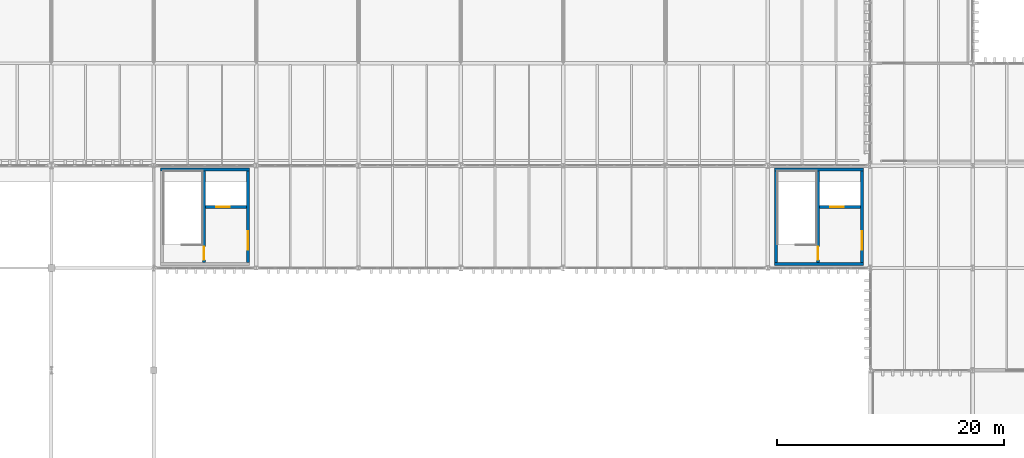
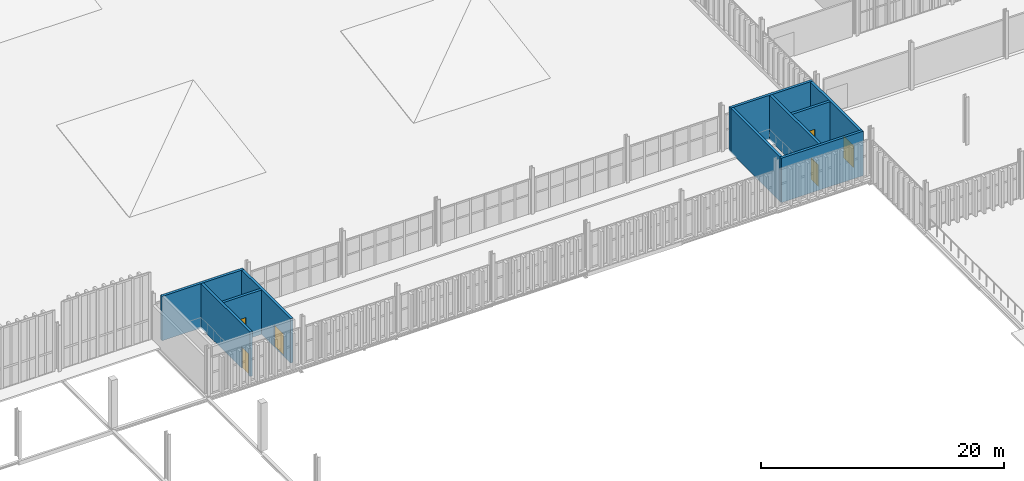
# One storey, part 178 of 196: 10 walls, 6 doors, 6 openings.
"""IFC4 building model written with IfcOpenShell, lengths in metres."""

from ifc_helpers import new_model, si_unit, direction, frame, frame_2d, origin, place, context, subcontext, project, spatial, rectangle, extrude, material, layer, layer_set, type_object, element, fill, save


model = new_model("IFC4")

# Units and contexts
model_context = context("Model", 3, precision=1e-05, world=origin(), true_north=direction((0.0, 1.0)))
body_context = subcontext(model_context, "Body", "Model", "MODEL_VIEW")
ifc_project = project(units=[si_unit("LENGTHUNIT", "METRE"), si_unit("AREAUNIT", "SQUARE_METRE"), si_unit("VOLUMEUNIT", "CUBIC_METRE"), si_unit("PLANEANGLEUNIT", "RADIAN"), si_unit("MASSUNIT", "GRAM", prefix="KILO")], contexts=[model_context])

# Site, building, storey
site_placement = place(None, origin())
site = spatial("IfcSite", under=ifc_project, at=site_placement, CompositionType="ELEMENT")
building_placement = place(site_placement, origin())
building = spatial("IfcBuilding", under=site, at=building_placement, Name="Barlavento Convention Centre", CompositionType="ELEMENT")
storey_placement = place(building_placement, frame((0.0, 0.0, 18.0)))
storey = spatial("IfcBuildingStorey", under=building, at=storey_placement, Name="L03", CompositionType="ELEMENT", Elevation=18.0)

# Wall, opening, door
ifc_material_1 = material(Name="Concrete C50/60", Category="concrete")
ifc_layer = layer(ifc_material_1, 0.25)
ifc_layer_set = layer_set([ifc_layer], Name="STR-WL-CORE-250")
wall_type = type_object("IfcWallType", Name="STR-WL-CORE-250", PredefinedType="SHEAR", material=ifc_layer_set)
wall_1_placement = place(storey_placement, frame((71.27490234375, 45.469970703125, 0.0), z_axis=(0.0, 0.0, 1.0), x_axis=(0.0, 1.0, 0.0)))
wall_1 = element("IfcWall", 1, at=wall_1_placement, inside=storey, type_object=wall_type, Name="L03 interior wall CW-02", PredefinedType="SHEAR", context=body_context, shape_type="SweptSolid", body=[
    extrude(rectangle(XDim=8.06005859375, YDim=0.25, at=frame_2d((4.030029296875, 0.0))), origin(), (0.0, 0.0, 1.0), 4.4599609375),
])
opening_1_placement = place(wall_1_placement, frame((1.14990234375, 0.0, 0.0)))
opening_1 = element("IfcOpeningElement", 2, at=opening_1_placement, cuts=wall_1, Name="Opening FD-02", PredefinedType="OPENING", context=body_context, shape_type="SweptSolid", body=[
    extrude(rectangle(XDim=1.60009765625, YDim=2.199951171875, at=frame_2d((0.800048828125, 1.10009765625))), frame((0.0, 0.135009765625, 0.0), z_axis=(0.0, -1.0, 0.0), x_axis=(1.0, 0.0, 0.0)), (0.0, 0.0, 1.0), 0.27001953125),
])
ifc_material_2 = material(Name="Painted galvanized steel", Category="steel")
door_type_1 = type_object("IfcDoorType", Name="ARC-DR-FIRE-1600X2200", OperationType="DOUBLE_DOOR_SINGLE_SWING", PredefinedType="DOOR", material=ifc_material_2)
door_1_placement = place(opening_1_placement, origin())
door_1 = element("IfcDoor", 3, at=door_1_placement, inside=storey, type_object=door_type_1, Name="DR-INT-L03-0039 L03 LP2 lobby fire door", OperationType="DOUBLE_DOOR_SINGLE_SWING", OverallHeight=2.199951171875, OverallWidth=1.60009765625, PredefinedType="DOOR", context=body_context, shape_type="SweptSolid", body=[
    extrude(rectangle(XDim=1.60009765625, YDim=2.199951171875, at=frame_2d((0.800048828125, 1.10009765625))), frame((0.0, 0.02490234375, 0.0), z_axis=(0.0, -1.0, 0.0), x_axis=(1.0, 0.0, 0.0)), (0.0, 0.0, 1.0), 0.050048828125),
])
fill(opening_1, door_1)

# Wall
wall_2_placement = place(storey_placement, frame((63.60009765625, 53.655029296875, 0.0), z_axis=(0.0, 0.0, 1.0), x_axis=(1.0, 0.0, 0.0)))
element("IfcWall", 4, at=wall_2_placement, inside=storey, type_object=wall_type, Name="L03 interior wall CW-02", PredefinedType="SHEAR", context=body_context, shape_type="SweptSolid", body=[
    extrude(rectangle(XDim=7.7998046875, YDim=0.25, at=frame_2d((3.89990234375, 0.0))), origin(), (0.0, 0.0, 1.0), 4.4599609375),
])

# Wall, opening, door
wall_3_placement = place(storey_placement, frame((67.4150390625, 45.469970703125, 0.0), z_axis=(0.0, 0.0, 1.0), x_axis=(0.0, 1.0, 0.0)))
wall_3 = element("IfcWall", 5, at=wall_3_placement, inside=storey, type_object=wall_type, Name="L03 interior wall CW-02", PredefinedType="SHEAR", context=body_context, shape_type="SweptSolid", body=[
    extrude(rectangle(XDim=8.06005859375, YDim=0.25, at=frame_2d((4.030029296875, 0.0))), origin(), (0.0, 0.0, 1.0), 4.4599609375),
])
opening_2_placement = place(wall_3_placement, frame((0.25, 0.0, 0.0)))
opening_2 = element("IfcOpeningElement", 6, at=opening_2_placement, cuts=wall_3, Name="Opening FD-03", PredefinedType="OPENING", context=body_context, shape_type="SweptSolid", body=[
    extrude(rectangle(XDim=1.14990234375, YDim=2.14990234375, at=frame_2d((0.574951171875, 1.074951171875))), frame((0.0, 0.135009765625, 0.0), z_axis=(0.0, -1.0, 0.0), x_axis=(1.0, 0.0, 0.0)), (0.0, 0.0, 1.0), 0.27001953125),
])
door_type_2 = type_object("IfcDoorType", Name="ARC-DR-FIRE-1150X2150", OperationType="NOTDEFINED", PredefinedType="DOOR", material=ifc_material_2)
door_2_placement = place(opening_2_placement, origin())
door_2 = element("IfcDoor", 7, at=door_2_placement, inside=storey, type_object=door_type_2, Name="DR-INT-L03-0037 L03 ST03 stair fire door FD-03", OperationType="SINGLE_SWING_LEFT", OverallHeight=2.14990234375, OverallWidth=1.14990234375, PredefinedType="DOOR", context=body_context, shape_type="SweptSolid", body=[
    extrude(rectangle(XDim=1.14990234375, YDim=2.14990234375, at=frame_2d((0.574951171875, 1.074951171875))), frame((0.0, 0.02490234375, 0.0), z_axis=(0.0, -1.0, 0.0), x_axis=(1.0, 0.0, 0.0)), (0.0, 0.0, 1.0), 0.050048828125),
])
fill(opening_2, door_2)

wall_4_placement = place(storey_placement, frame((67.5400390625, 50.3701171875, 0.0), z_axis=(0.0, 0.0, 1.0), x_axis=(1.0, 0.0, 0.0)))
wall_4 = element("IfcWall", 8, at=wall_4_placement, inside=storey, type_object=wall_type, Name="L03 interior wall CW-02", PredefinedType="SHEAR", context=body_context, shape_type="SweptSolid", body=[
    extrude(rectangle(XDim=3.60986328125, YDim=0.25, at=frame_2d((1.804931640625, 0.0))), origin(), (0.0, 0.0, 1.0), 4.4599609375),
])
opening_3_placement = place(wall_4_placement, frame((0.949951171875, 0.0, 0.0)))
opening_3 = element("IfcOpeningElement", 9, at=opening_3_placement, cuts=wall_4, Name="Opening LD-01", PredefinedType="OPENING", context=body_context, shape_type="SweptSolid", body=[
    extrude(rectangle(XDim=1.199951171875, YDim=2.199951171875, at=frame_2d((0.60009765625, 1.10009765625))), frame((0.0, 0.135009765625, 0.0), z_axis=(0.0, -1.0, 0.0), x_axis=(1.0, 0.0, 0.0)), (0.0, 0.0, 1.0), 0.27001953125),
])
ifc_material_3 = material(Name="Brushed stainless steel", Category="steel")
door_type_3 = type_object("IfcDoorType", Name="ARC-DR-LIFT-1200X2200", OperationType="DOUBLE_DOOR_SLIDING", PredefinedType="DOOR", material=ifc_material_3)
door_3_placement = place(opening_3_placement, origin())
door_3 = element("IfcDoor", 10, at=door_3_placement, inside=storey, type_object=door_type_3, Name="DR-INT-L03-0038 LP2 lift sliding landing door", OperationType="DOUBLE_DOOR_SLIDING", OverallHeight=2.199951171875, OverallWidth=1.199951171875, PredefinedType="DOOR", context=body_context, shape_type="SweptSolid", body=[
    extrude(rectangle(XDim=1.199951171875, YDim=2.199951171875, at=frame_2d((0.60009765625, 1.10009765625))), frame((0.0, 0.02490234375, 0.0), z_axis=(0.0, -1.0, 0.0), x_axis=(1.0, 0.0, 0.0)), (0.0, 0.0, 1.0), 0.050048828125),
])
fill(opening_3, door_3)

# Wall
wall_5_placement = place(storey_placement, frame((117.72509765625, 45.469970703125, 0.0), z_axis=(0.0, 0.0, 1.0), x_axis=(0.0, 1.0, 0.0)))
element("IfcWall", 11, at=wall_5_placement, inside=storey, type_object=wall_type, Name="L03 interior wall CW-02", PredefinedType="SHEAR", context=body_context, shape_type="SweptSolid", body=[
    extrude(rectangle(XDim=8.06005859375, YDim=0.25, at=frame_2d((4.030029296875, 0.0))), origin(), (0.0, 0.0, 1.0), 4.4599609375),
])

# Wall, opening, door
wall_6_placement = place(storey_placement, frame((125.27490234375, 45.469970703125, 0.0), z_axis=(0.0, 0.0, 1.0), x_axis=(0.0, 1.0, 0.0)))
wall_6 = element("IfcWall", 12, at=wall_6_placement, inside=storey, type_object=wall_type, Name="L03 interior wall CW-02", PredefinedType="SHEAR", context=body_context, shape_type="SweptSolid", body=[
    extrude(rectangle(XDim=8.06005859375, YDim=0.25, at=frame_2d((4.030029296875, 0.0))), origin(), (0.0, 0.0, 1.0), 4.4599609375),
])
opening_4_placement = place(wall_6_placement, frame((1.14990234375, 0.0, 0.0)))
opening_4 = element("IfcOpeningElement", 13, at=opening_4_placement, cuts=wall_6, Name="Opening FD-02", PredefinedType="OPENING", context=body_context, shape_type="SweptSolid", body=[
    extrude(rectangle(XDim=1.60009765625, YDim=2.199951171875, at=frame_2d((0.800048828125, 1.10009765625))), frame((0.0, 0.135009765625, 0.0), z_axis=(0.0, -1.0, 0.0), x_axis=(1.0, 0.0, 0.0)), (0.0, 0.0, 1.0), 0.27001953125),
])
door_4_placement = place(opening_4_placement, origin())
door_4 = element("IfcDoor", 14, at=door_4_placement, inside=storey, type_object=door_type_1, Name="DR-INT-L03-0054 L03 LP3 lobby fire door", OperationType="DOUBLE_DOOR_SINGLE_SWING", OverallHeight=2.199951171875, OverallWidth=1.60009765625, PredefinedType="DOOR", context=body_context, shape_type="SweptSolid", body=[
    extrude(rectangle(XDim=1.60009765625, YDim=2.199951171875, at=frame_2d((0.800048828125, 1.10009765625))), frame((0.0, 0.02490234375, 0.0), z_axis=(0.0, -1.0, 0.0), x_axis=(1.0, 0.0, 0.0)), (0.0, 0.0, 1.0), 0.050048828125),
])
fill(opening_4, door_4)

# Walls
for number, where, z_axis, x_axis, name in (
    (15, (117.60009765625, 45.344970703125, 0.0), (0.0, 0.0, 1.0), (1.0, 0.0, 0.0), "L03 interior wall CW-02"),
    (16, (117.60009765625, 53.655029296875, 0.0), (0.0, 0.0, 1.0), (1.0, 0.0, 0.0), "L03 interior wall CW-02"),
):
    element("IfcWall", number, at=place(storey_placement, frame(where, z_axis=z_axis, x_axis=x_axis)), inside=storey, type_object=wall_type, Name=name, PredefinedType="SHEAR", context=body_context, shape_type="SweptSolid", body=[
        extrude(rectangle(XDim=7.7998046875, YDim=0.25, at=frame_2d((3.89990234375, 0.0))), origin(), (0.0, 0.0, 1.0), 4.4599609375),
    ])

# Wall, opening, door
wall_7_placement = place(storey_placement, frame((121.4150390625, 45.469970703125, 0.0), z_axis=(0.0, 0.0, 1.0), x_axis=(0.0, 1.0, 0.0)))
wall_7 = element("IfcWall", 17, at=wall_7_placement, inside=storey, type_object=wall_type, Name="L03 interior wall CW-02", PredefinedType="SHEAR", context=body_context, shape_type="SweptSolid", body=[
    extrude(rectangle(XDim=8.06005859375, YDim=0.25, at=frame_2d((4.030029296875, 0.0))), origin(), (0.0, 0.0, 1.0), 4.4599609375),
])
opening_5_placement = place(wall_7_placement, frame((0.25, 0.0, 0.0)))
opening_5 = element("IfcOpeningElement", 18, at=opening_5_placement, cuts=wall_7, Name="Opening FD-03", PredefinedType="OPENING", context=body_context, shape_type="SweptSolid", body=[
    extrude(rectangle(XDim=1.14990234375, YDim=2.14990234375, at=frame_2d((0.574951171875, 1.074951171875))), frame((0.0, 0.135009765625, 0.0), z_axis=(0.0, -1.0, 0.0), x_axis=(1.0, 0.0, 0.0)), (0.0, 0.0, 1.0), 0.27001953125),
])
door_5_placement = place(opening_5_placement, origin())
door_5 = element("IfcDoor", 19, at=door_5_placement, inside=storey, type_object=door_type_2, Name="DR-INT-L03-0052 L03 ST04 stair fire door FD-03", OperationType="SINGLE_SWING_RIGHT", OverallHeight=2.14990234375, OverallWidth=1.14990234375, PredefinedType="DOOR", context=body_context, shape_type="SweptSolid", body=[
    extrude(rectangle(XDim=1.14990234375, YDim=2.14990234375, at=frame_2d((0.574951171875, 1.074951171875))), frame((0.0, 0.02490234375, 0.0), z_axis=(0.0, -1.0, 0.0), x_axis=(1.0, 0.0, 0.0)), (0.0, 0.0, 1.0), 0.050048828125),
])
fill(opening_5, door_5)

wall_8_placement = place(storey_placement, frame((121.5400390625, 50.3701171875, 0.0), z_axis=(0.0, 0.0, 1.0), x_axis=(1.0, 0.0, 0.0)))
wall_8 = element("IfcWall", 20, at=wall_8_placement, inside=storey, type_object=wall_type, Name="L03 interior wall CW-02", PredefinedType="SHEAR", context=body_context, shape_type="SweptSolid", body=[
    extrude(rectangle(XDim=3.60986328125, YDim=0.25, at=frame_2d((1.804931640625, 0.0))), origin(), (0.0, 0.0, 1.0), 4.4599609375),
])
opening_6_placement = place(wall_8_placement, frame((0.949951171875, 0.0, 0.0)))
opening_6 = element("IfcOpeningElement", 21, at=opening_6_placement, cuts=wall_8, Name="Opening LD-01", PredefinedType="OPENING", context=body_context, shape_type="SweptSolid", body=[
    extrude(rectangle(XDim=1.199951171875, YDim=2.199951171875, at=frame_2d((0.60009765625, 1.10009765625))), frame((0.0, 0.135009765625, 0.0), z_axis=(0.0, -1.0, 0.0), x_axis=(1.0, 0.0, 0.0)), (0.0, 0.0, 1.0), 0.27001953125),
])
door_6_placement = place(opening_6_placement, origin())
door_6 = element("IfcDoor", 22, at=door_6_placement, inside=storey, type_object=door_type_3, Name="DR-INT-L03-0053 LP3 lift sliding landing door", OperationType="DOUBLE_DOOR_SLIDING", OverallHeight=2.199951171875, OverallWidth=1.199951171875, PredefinedType="DOOR", context=body_context, shape_type="SweptSolid", body=[
    extrude(rectangle(XDim=1.199951171875, YDim=2.199951171875, at=frame_2d((0.60009765625, 1.10009765625))), frame((0.0, 0.02490234375, 0.0), z_axis=(0.0, -1.0, 0.0), x_axis=(1.0, 0.0, 0.0)), (0.0, 0.0, 1.0), 0.050048828125),
])
fill(opening_6, door_6)

save(model, "model.ifc")
